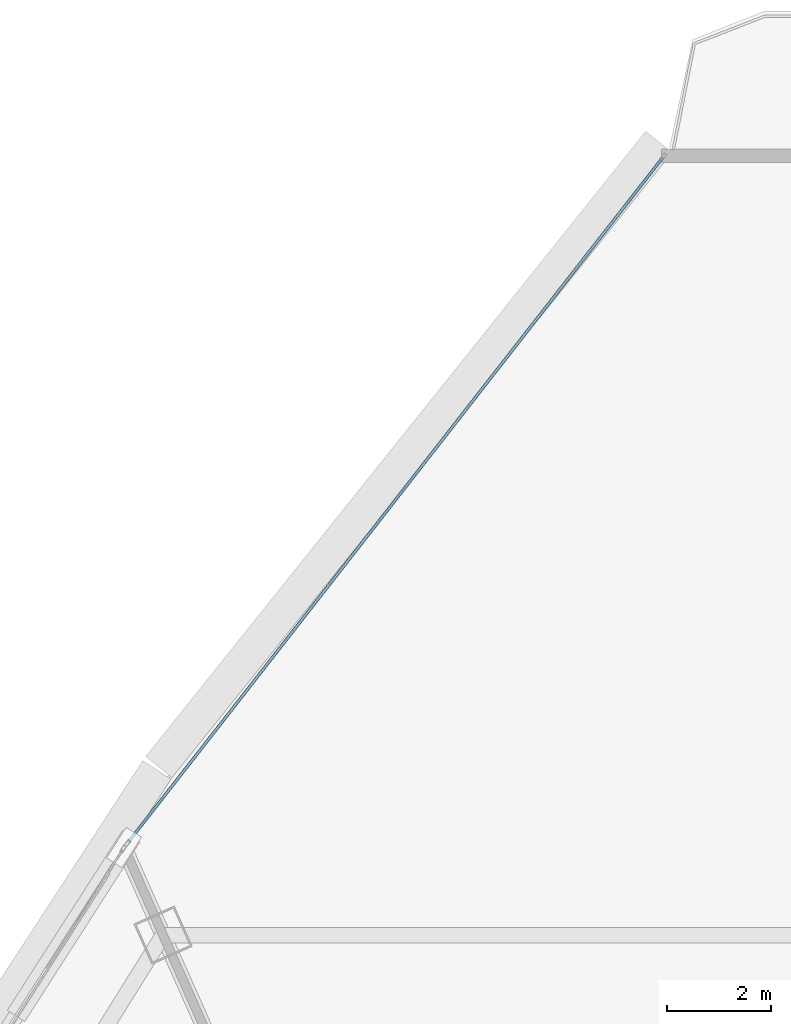
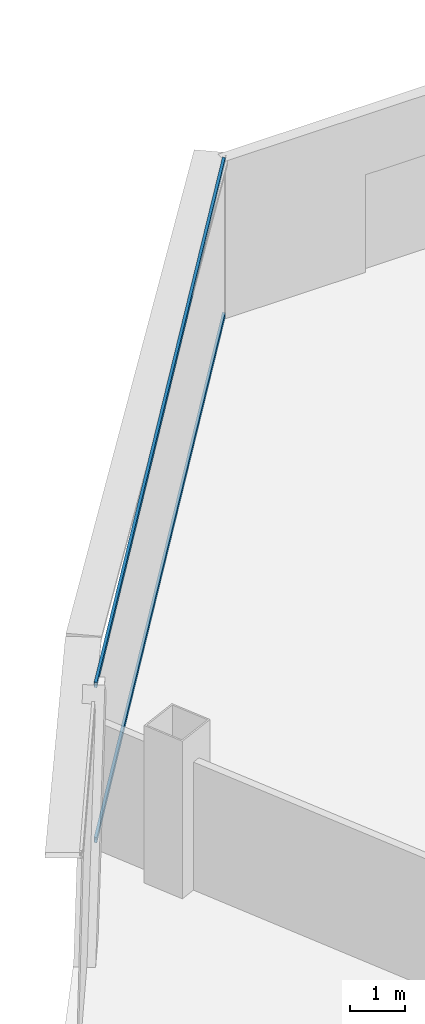
# One storey, part 20 of 37: 2 members, 1 element without a shape of its own.
"""IFC4 building model written with IfcOpenShell, lengths in metres."""

from ifc_helpers import new_model, si_unit, direction, frame, origin, origin_2d, place, context, subcontext, project, spatial, hollow_rectangle, extrude, source, transform, mapped, material, layer, layer_set, material_profile, profile_set, type_object, element, aggregate, save


model = new_model("IFC4")

# Units and contexts
model_context = context("Model", 3, precision=1e-05, world=origin(), true_north=direction((0.0, 1.0)))
body_context = subcontext(model_context, "Body", "Model", "MODEL_VIEW")
ifc_project = project(units=[si_unit("LENGTHUNIT", "METRE"), si_unit("AREAUNIT", "SQUARE_METRE"), si_unit("VOLUMEUNIT", "CUBIC_METRE"), si_unit("PLANEANGLEUNIT", "RADIAN"), si_unit("MASSUNIT", "GRAM", prefix="KILO"), si_unit("THERMODYNAMICTEMPERATUREUNIT", "KELVIN"), si_unit("POWERUNIT", "WATT")], contexts=[model_context])

# Site, building, storey
site_placement = place(None, origin())
site = spatial("IfcSite", under=ifc_project, at=site_placement, CompositionType="ELEMENT")
building_placement = place(site_placement, origin())
building = spatial("IfcBuilding", under=site, at=building_placement, Name="Yunzhuo Pagoda Commons", CompositionType="ELEMENT")
storey_placement = place(building_placement, frame((0.0, 0.0, 251.989990234375)))
storey = spatial("IfcBuildingStorey", under=building, at=storey_placement, Name="L63", CompositionType="ELEMENT", Elevation=251.989990234375)

# Curtain wall, members
ifc_material = material(Name="Anodized aluminium 6063-T6", Category="aluminium")
ifc_layer = layer(ifc_material, 0.139892578125)
ifc_layer_set = layer_set([ifc_layer], Name="Anodized aluminium 6063-T6")
curtain_wall_type = type_object("IfcCurtainWallType", Name="CW-HI High-Zone Ribbon Curtain Wall", PredefinedType="NOTDEFINED", material=ifc_layer_set)
curtain_wall_placement = place(storey_placement, origin())
curtain_wall = element("IfcCurtainWall", 1, at=curtain_wall_placement, inside=storey, type_object=curtain_wall_type, Name="L63 curtain wall CW-L63-F3B1", PredefinedType="NOTDEFINED")
ifc_material_profile = material_profile(ifc_material, hollow_rectangle(XDim=0.054931640625, YDim=0.1201171875, WallThickness=0.00341796875, at=origin_2d()), Name="Anodized aluminium 6063-T6")
ifc_profile_set = profile_set([ifc_material_profile], Name="Anodized aluminium 6063-T6")
member_type = type_object("IfcMemberType", Name="CW-HI-T Transom RHS 120x55x3.5", PredefinedType="USERDEFINED", material=ifc_profile_set)
shared_shape = source(origin(), body_context, "Body", "SweptSolid", [
    extrude(hollow_rectangle(XDim=0.054931640625, YDim=0.1201171875, WallThickness=0.00341796875, at=origin_2d()), origin(), (0.0, 0.0, 1.0), 16.6796875),
])
member_1_placement = place(storey_placement, frame((44.191650390625, 78.75, 0.027587890625), z_axis=(-0.615423035215, -0.788196985357, 0.0), x_axis=(0.788196985357, -0.615423035215, 0.0)))
member_1 = element("IfcMember", 2, at=member_1_placement, type_object=member_type, Name="CW transom 1.1", ObjectType="TRANSOM", PredefinedType="USERDEFINED", context=body_context, shape_type="MappedRepresentation", body=[
    mapped(shared_shape, transform((0.0, 0.0, 0.0), scale=1.0)),
])
member_2_placement = place(storey_placement, frame((44.191650390625, 78.75, 3.442626953125), z_axis=(-0.615423035215, -0.788196985357, 0.0), x_axis=(0.788196985357, -0.615423035215, 0.0)))
member_2 = element("IfcMember", 3, at=member_2_placement, type_object=member_type, Name="CW transom 1.2", ObjectType="TRANSOM", PredefinedType="USERDEFINED", context=body_context, shape_type="MappedRepresentation", body=[
    mapped(shared_shape, transform((0.0, 0.0, 0.0), scale=1.0)),
])
aggregate(curtain_wall, [member_1, member_2])

save(model, "model.ifc")
